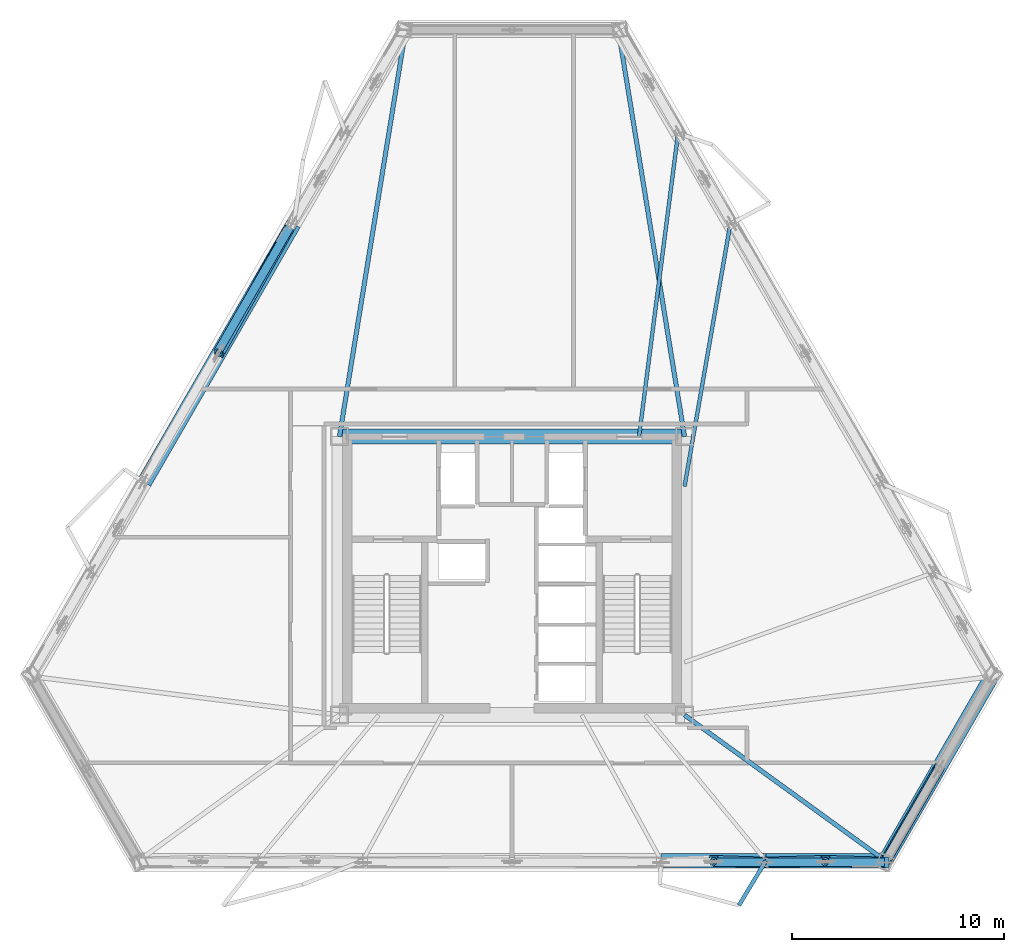
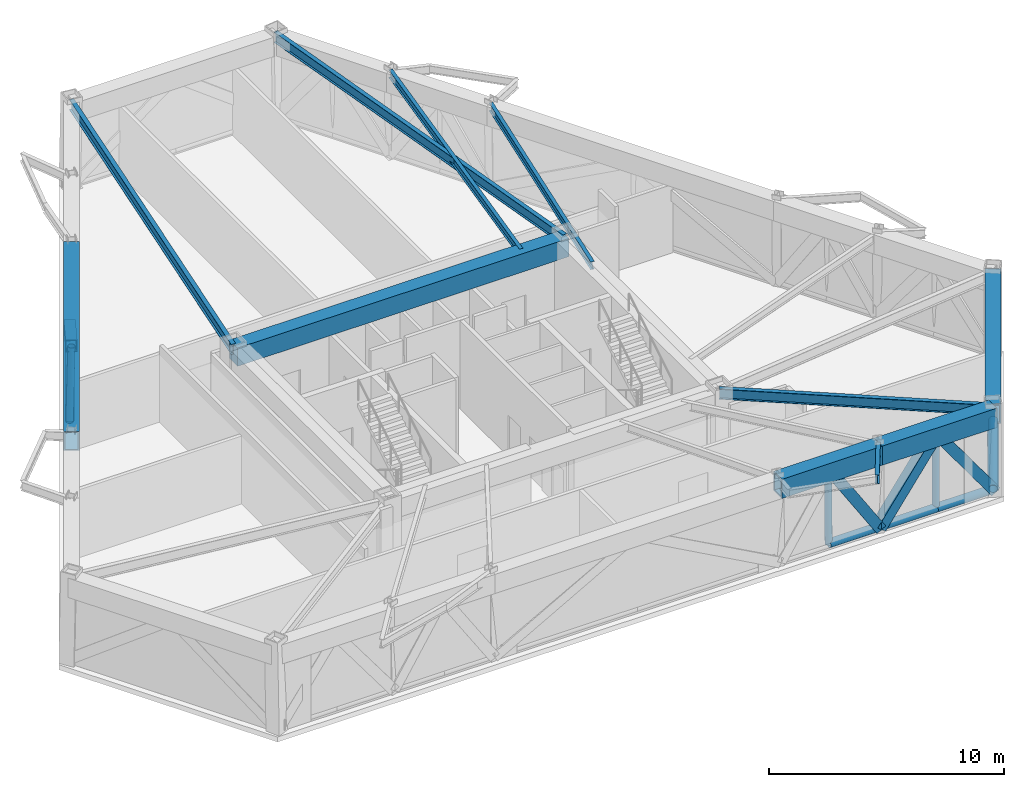
# One storey, part 3 of 11: 13 members, 11 beams.
"""IFC4 building model written with IfcOpenShell, lengths in metres."""

import ifcopenshell
import ifcopenshell.guid

model = None  # the IFC model being written
_history = None  # IfcOwnerHistory: only IFC2X3 demands one
_inside = {}  # id of a spatial element -> (the spatial element, [elements in it])
_under = {}  # id of a project, library or spatial element -> (it, [spatial elements below it])
_declared = {}  # id of a project -> (the project, [libraries it declares])
_typed = {}  # id of a type object -> (the type object, [elements of that type])
_made_of = {}  # id of a material, layer set ... -> (it, [elements and type objects made of it])


def new_model(schema):
    """Start an empty IFC model of exactly this schema.

    Asked for "IFC4X3", IfcOpenShell would pick the latest addendum, in which some entities
    have other attributes; the version numbers below select the first issue.
    IFC2X3 requires an IfcOwnerHistory on every rooted entity: one is made here for all.
    """
    global model, _history
    if schema == "IFC4X3":
        model = ifcopenshell.file(schema_version=(4, 3, 0, 0))
    else:
        model = ifcopenshell.file(schema=schema)
    _inside.clear()
    _under.clear()
    _declared.clear()
    _typed.clear()
    _made_of.clear()
    _history = None
    if model.schema == "IFC2X3":
        org = make("IfcOrganization", Name="unknown")
        user = make(
            "IfcPersonAndOrganization",
            ThePerson=make("IfcPerson", FamilyName="unknown"),
            TheOrganization=org,
        )
        app = make(
            "IfcApplication",
            ApplicationDeveloper=org,
            Version="unknown",
            ApplicationFullName="unknown",
            ApplicationIdentifier="unknown",
        )
        _history = make(
            "IfcOwnerHistory",
            OwningUser=user,
            OwningApplication=app,
            ChangeAction="ADDED",
            CreationDate=0,
        )
    return model


def make(cls, **values):
    """One entity of the class cls with the attributes given. An attribute that is None is left unset."""
    return model.create_entity(
        cls, **{name: value for name, value in values.items() if value is not None}
    )


def rooted(cls, **values):
    """An entity with a GlobalId (a new one), such as an element, a storey or a relation."""
    return make(cls, GlobalId=ifcopenshell.guid.new(), OwnerHistory=_history, **values)


def si_unit(unit_type, name, prefix=None):
    """IfcSIUnit, for example si_unit("LENGTHUNIT", "METRE", prefix="MILLI")."""
    return make("IfcSIUnit", UnitType=unit_type, Prefix=prefix, Name=name)


def assignment(units):
    """IfcUnitAssignment: the units of a project."""
    return None if units is None else make("IfcUnitAssignment", Units=units)


def point(xyz):
    """IfcCartesianPoint."""
    return None if xyz is None else make("IfcCartesianPoint", Coordinates=xyz)


def direction(xyz):
    """IfcDirection."""
    return None if xyz is None else make("IfcDirection", DirectionRatios=xyz)


def frame(location, z_axis=None, x_axis=None):
    """IfcAxis2Placement3D, a coordinate frame: its origin and axes. An axis left out is left unset."""
    return make(
        "IfcAxis2Placement3D",
        Location=point(location),
        Axis=direction(z_axis),
        RefDirection=direction(x_axis),
    )


def frame_2d(location, x_axis=None):
    """IfcAxis2Placement2D, a coordinate frame in the plane: its origin and x axis."""
    return make(
        "IfcAxis2Placement2D", Location=point(location), RefDirection=direction(x_axis)
    )


def origin():
    """The frame at (0, 0, 0) with its axes left unset."""
    return frame((0.0, 0.0, 0.0))


def origin_2d():
    """The frame at (0, 0) in the plane with its x axis left unset."""
    return frame_2d((0.0, 0.0))


def place(relative_to, where):
    """IfcLocalPlacement: puts the frame where relative to a parent placement (None: the world)."""
    return make(
        "IfcLocalPlacement", PlacementRelTo=relative_to, RelativePlacement=where
    )


def context(
    kind, dimensions, precision=None, world=None, true_north=None, identifier=None
):
    """IfcGeometricRepresentationContext, for example the 3D "Model" context."""
    return make(
        "IfcGeometricRepresentationContext",
        ContextIdentifier=identifier,
        ContextType=kind,
        CoordinateSpaceDimension=dimensions,
        Precision=precision,
        WorldCoordinateSystem=world,
        TrueNorth=true_north,
    )


def subcontext(parent, identifier, kind, view, scale=None):
    """IfcGeometricRepresentationSubContext, for example "Body" below "Model"."""
    return make(
        "IfcGeometricRepresentationSubContext",
        ContextIdentifier=identifier,
        ContextType=kind,
        ParentContext=parent,
        TargetScale=scale,
        TargetView=view,
    )


def project(units=None, contexts=None):
    """IfcProject with its units and contexts."""
    return rooted(
        "IfcProject",
        Name="project",
        RepresentationContexts=contexts,
        UnitsInContext=assignment(units),
    )


def spatial(cls, under=None, at=None, **own):
    """A site, building, storey or space (cls), placed at a placement, below another one or the project."""
    s = rooted(cls, ObjectPlacement=at, **own)
    if under is not None:
        _under.setdefault(under.id(), (under, []))[1].append(s)
    return s


def profile(cls, at=None, kind="AREA", **sizes):
    """A parametric profile (cls). Its sizes go by their IFC names, for example OverallWidth=200.0."""
    return make(cls, ProfileType=kind, Position=at, **sizes)


def rectangle(**sizes):
    """IfcRectangleProfileDef."""
    return profile("IfcRectangleProfileDef", **sizes)


def hollow_rectangle(**sizes):
    """IfcRectangleHollowProfileDef."""
    return profile("IfcRectangleHollowProfileDef", **sizes)


def hollow_circle(**sizes):
    """IfcCircleHollowProfileDef."""
    return profile("IfcCircleHollowProfileDef", **sizes)


def i_section(**sizes):
    """IfcIShapeProfileDef."""
    return profile("IfcIShapeProfileDef", **sizes)


def extrude(swept, where, along, depth):
    """IfcExtrudedAreaSolid: the profile swept, set in the frame where, extruded along a direction by depth."""
    return make(
        "IfcExtrudedAreaSolid",
        SweptArea=swept,
        Position=where,
        ExtrudedDirection=direction(along),
        Depth=depth,
    )


def shape(context_of_items, identifier, shape_type, items):
    """IfcShapeRepresentation: the items that make up one representation, for example the "Body"."""
    return make(
        "IfcShapeRepresentation",
        ContextOfItems=context_of_items,
        RepresentationIdentifier=identifier,
        RepresentationType=shape_type,
        Items=items,
    )


def material(Name=None, Category=None):
    """IfcMaterial."""
    return make("IfcMaterial", Name=Name, Category=Category)


def material_profile(
    of_material, cross_section, Name=None, Category=None, Priority=None
):
    """IfcMaterialProfile: a cross section and its material."""
    return make(
        "IfcMaterialProfile",
        Name=Name,
        Material=of_material,
        Profile=cross_section,
        Priority=Priority,
        Category=Category,
    )


def profile_set(profiles, Name=None, composite=None):
    """IfcMaterialProfileSet."""
    return make(
        "IfcMaterialProfileSet",
        Name=Name,
        MaterialProfiles=profiles,
        CompositeProfile=composite,
    )


def made_of(thing, what):
    """Note that an element or type object is made of a material, layer set ...; save() writes the relation."""
    if what is not None:
        _made_of.setdefault(what.id(), (what, []))[1].append(thing)
    return thing


def type_object(cls, material=None, **own):
    """A type object (cls), such as IfcWallType, which elements share."""
    return made_of(rooted(cls, **own), material)


def element(
    cls,
    number,
    at=None,
    inside=None,
    cuts=None,
    type_object=None,
    material=None,
    context=None,
    identifier="Body",
    shape_type=None,
    held_by="IfcProductDefinitionShape",
    body=None,
    shapes=None,
    **own,
):
    """One element of the class cls, such as IfcWall. Its Tag is "e" and its number.

    at: its placement. inside: the storey or other place that contains it. cuts: it is an
    opening in that element (IfcRelVoidsElement). A single representation is given by context,
    identifier, shape_type and body (its items); several are given by shapes. held_by: the class
    of the entity that holds the representations. save() writes the other relations.
    """
    e = rooted(cls, Tag="e%d" % number, ObjectPlacement=at, **own)
    if body is not None:
        shapes = [shape(context, identifier, shape_type, body)]
    if shapes is not None:
        e.Representation = make(held_by, Representations=shapes)
    if inside is not None:
        _inside.setdefault(inside.id(), (inside, []))[1].append(e)
    if cuts is not None:
        rooted(
            "IfcRelVoidsElement", RelatingBuildingElement=cuts, RelatedOpeningElement=e
        )
    if type_object is not None:
        _typed.setdefault(type_object.id(), (type_object, []))[1].append(e)
    return made_of(e, material)


def aggregate(whole, parts):
    """IfcRelAggregates: a whole, such as a stair, and the parts it consists of."""
    return rooted("IfcRelAggregates", RelatingObject=whole, RelatedObjects=parts)


def save(model, path):
    """Write the relations noted so far, then the file.

    IfcRelAggregates (storeys below a building ...), IfcRelContainedInSpatialStructure (elements
    in a storey), IfcRelDefinesByType, IfcRelAssociatesMaterial and IfcRelDeclares: one each for
    every whole, place, type object, material and project.
    """
    for whole, parts in _under.values():
        aggregate(whole, parts)
    for where, things in _inside.values():
        rooted(
            "IfcRelContainedInSpatialStructure",
            RelatedElements=things,
            RelatingStructure=where,
        )
    for kind, things in _typed.values():
        rooted("IfcRelDefinesByType", RelatedObjects=things, RelatingType=kind)
    for what, things in _made_of.values():
        rooted("IfcRelAssociatesMaterial", RelatedObjects=things, RelatingMaterial=what)
    for by, libraries in _declared.values():
        rooted("IfcRelDeclares", RelatingContext=by, RelatedDefinitions=libraries)
    model.write(path)


model = new_model("IFC4")

# Units and contexts
model_context = context("Model", 3, precision=1e-05, world=origin(), true_north=direction((0.0, 1.0)))
body_context = subcontext(model_context, "Body", "Model", "MODEL_VIEW")
ifc_project = project(units=[si_unit("LENGTHUNIT", "METRE"), si_unit("AREAUNIT", "SQUARE_METRE"), si_unit("VOLUMEUNIT", "CUBIC_METRE"), si_unit("PLANEANGLEUNIT", "RADIAN"), si_unit("MASSUNIT", "GRAM", prefix="KILO")], contexts=[model_context])

# Site, building, storey
site_placement = place(None, origin())
site = spatial("IfcSite", under=ifc_project, at=site_placement, CompositionType="ELEMENT")
building_placement = place(site_placement, origin())
building = spatial("IfcBuilding", under=site, at=building_placement, Name="Oramaril Tower", CompositionType="ELEMENT")
storey_placement = place(building_placement, frame((0.0, 0.0, 133.800048828125)))
storey = spatial("IfcBuildingStorey", under=building, at=storey_placement, Name="L35", CompositionType="ELEMENT", Elevation=133.800048828125)

# Beams
ifc_material_1 = material(Name="Steel ASTM A572 Gr 50", Category="steel")
ifc_material_profile_1 = material_profile(ifc_material_1, i_section(OverallWidth=0.19091796875, OverallDepth=0.45703125, WebThickness=0.009033203125, FlangeThickness=0.014404296875, at=origin_2d()), Name="W18X50")
ifc_profile_set_1 = profile_set([ifc_material_profile_1], Name="Steel ASTM A572 Gr 50")
beam_type_1 = type_object("IfcBeamType", Name="BT-BB1", PredefinedType="BEAM", material=ifc_profile_set_1)
beam_1_placement = place(storey_placement, frame((49.48974609375, 4.120849609375, 4.33154296875), z_axis=(-0.516026664464, -0.856572519733, 0.0), x_axis=(0.856572519733, -0.516026664464, 0.0)))
element("IfcBeam", 1, at=beam_1_placement, inside=storey, type_object=beam_type_1, Name="L35 Balcony Column-Framed Cantilever 02.2", PredefinedType="BEAM", context=body_context, shape_type="SweptSolid", body=[
    extrude(i_section(OverallWidth=0.19091796875, OverallDepth=0.45703125, WebThickness=0.009033203125, FlangeThickness=0.014404296875, at=origin_2d()), origin(), (0.0, 0.0, 1.0), 2.461181640625),
])
ifc_material_2 = material(Name="Steel ASTM A572 Gr 50", Category="steel")
ifc_material_profile_2 = material_profile(ifc_material_2, hollow_rectangle(XDim=0.699951171875, YDim=1.0, WallThickness=0.06494140625, at=origin_2d()), Name="BOX1000X700X65")
ifc_profile_set_2 = profile_set([ifc_material_profile_2], Name="Steel ASTM A572 Gr 50")
beam_type_2 = type_object("IfcBeamType", Name="BT-BT1", PredefinedType="BEAM", material=ifc_profile_set_2)
beam_2_placement = place(storey_placement, frame((44.552734375, 4.120849609375, 4.06005859375), z_axis=(1.0, 0.0, 0.0), x_axis=(0.0, 1.0, 0.0)))
element("IfcBeam", 2, at=beam_2_placement, inside=storey, type_object=beam_type_2, Name="L35 Perimeter Spandrel 05", PredefinedType="BEAM", context=body_context, shape_type="SweptSolid", body=[
    extrude(hollow_rectangle(XDim=0.699951171875, YDim=1.0, WallThickness=0.06494140625, at=origin_2d()), origin(), (0.0, 0.0, 1.0), 4.93701171875),
])
beam_3_placement = place(storey_placement, frame((49.48974609375, 4.120849609375, 4.06005859375), z_axis=(1.0, 0.0, 0.0), x_axis=(0.0, 1.0, 0.0)))
element("IfcBeam", 3, at=beam_3_placement, inside=storey, type_object=beam_type_2, Name="L35 Perimeter Spandrel 06", PredefinedType="BEAM", context=body_context, shape_type="SweptSolid", body=[
    extrude(hollow_rectangle(XDim=0.699951171875, YDim=1.0, WallThickness=0.06494140625, at=origin_2d()), origin(), (0.0, 0.0, 1.0), 5.642333984375),
])
beam_4_placement = place(storey_placement, frame((55.132080078125, 4.120849609375, 4.06005859375), z_axis=(0.500007885066, 0.866020851292, 0.0), x_axis=(-0.866020851292, 0.500007885066, 0.0)))
element("IfcBeam", 4, at=beam_4_placement, inside=storey, type_object=beam_type_2, Name="L35 Perimeter Spandrel 07", PredefinedType="BEAM", context=body_context, shape_type="SweptSolid", body=[
    extrude(hollow_rectangle(XDim=0.699951171875, YDim=1.0, WallThickness=0.06494140625, at=origin_2d()), origin(), (0.0, 0.0, 1.0), 10.044677734375),
])
beam_5_placement = place(storey_placement, frame((27.18798828125, 34.197509765625, 4.06005859375), z_axis=(-0.500009111705, -0.866020143075, 0.0), x_axis=(0.866020143075, -0.500009111705, 0.0)))
element("IfcBeam", 5, at=beam_5_placement, inside=storey, type_object=beam_type_2, Name="L35 Perimeter Spandrel 16", PredefinedType="BEAM", context=body_context, shape_type="SweptSolid", body=[
    extrude(hollow_rectangle(XDim=0.699951171875, YDim=1.0, WallThickness=0.06494140625, at=origin_2d()), origin(), (0.0, 0.0, 1.0), 14.105712890625),
])
ifc_material_3 = material(Name="Concrete C50/60", Category="concrete")
ifc_material_profile_3 = material_profile(ifc_material_3, rectangle(XDim=0.699951171875, YDim=0.949951171875, at=origin_2d()), Name="CB700X950")
ifc_profile_set_3 = profile_set([ifc_material_profile_3], Name="Concrete C50/60")
beam_type_3 = type_object("IfcBeamType", Name="BT-CB1", PredefinedType="BEAM", material=ifc_profile_set_3)
beam_6_placement = place(storey_placement, frame((45.64990234375, 24.14990234375, 4.0849609375), z_axis=(-1.0, 0.0, 0.0), x_axis=(0.0, -1.0, 0.0)))
element("IfcBeam", 6, at=beam_6_placement, inside=storey, type_object=beam_type_3, Name="L35 Core Header Beam CB-3", PredefinedType="BEAM", context=body_context, shape_type="SweptSolid", body=[
    extrude(rectangle(XDim=0.699951171875, YDim=0.949951171875, at=origin_2d()), origin(), (0.0, 0.0, 1.0), 16.2998046875),
])
ifc_material_4 = material(Name="Steel ASTM A572 Gr 50", Category="steel")
ifc_material_profile_4 = material_profile(ifc_material_4, i_section(OverallWidth=0.2099609375, OverallDepth=0.535888671875, WebThickness=0.010986328125, FlangeThickness=0.017333984375, at=origin_2d()), Name="W21X68")
ifc_profile_set_4 = profile_set([ifc_material_profile_4], Name="Steel ASTM A572 Gr 50")
beam_type_4 = type_object("IfcBeamType", Name="BT-FB2", PredefinedType="BEAM", material=ifc_profile_set_4)
beam_7_placement = place(storey_placement, frame((45.64990234375, 11.0, 4.2919921875), z_axis=(0.809424955656, -0.587223331588, 0.0), x_axis=(0.587223331588, 0.809424955656, 0.0)))
element("IfcBeam", 7, at=beam_7_placement, inside=storey, type_object=beam_type_4, Name="L35 Radial Primary Beam RB-03", PredefinedType="BEAM", context=body_context, shape_type="SweptSolid", body=[
    extrude(i_section(OverallWidth=0.2099609375, OverallDepth=0.535888671875, WebThickness=0.010986328125, FlangeThickness=0.017333984375, at=origin_2d()), origin(), (0.0, 0.0, 1.0), 11.714599609375),
])
for number, where, z_axis, x_axis, name in (
    (8, (45.64990234375, 24.14990234375, 4.2919921875), (-0.160689527437, 0.987005002911, 0.0), (-0.987005002911, -0.160689527437, 0.0), "L35 Radial Primary Beam RB-05"),
    (9, (29.35009765625, 24.14990234375, 4.2919921875), (0.160689527437, 0.987005002911, 0.0), (-0.987005002911, 0.160689527437, 0.0), "L35 Radial Primary Beam RB-06"),
):
    element("IfcBeam", number, at=place(storey_placement, frame(where, z_axis=z_axis, x_axis=x_axis)), inside=storey, type_object=beam_type_4, Name=name, PredefinedType="BEAM", context=body_context, shape_type="SweptSolid", body=[
        extrude(i_section(OverallWidth=0.2099609375, OverallDepth=0.535888671875, WebThickness=0.010986328125, FlangeThickness=0.017333984375, at=origin_2d()), origin(), (0.0, 0.0, 1.0), 19.462646484375),
    ])
ifc_material_5 = material(Name="Steel ASTM A572 Gr 50", Category="steel")
ifc_material_profile_5 = material_profile(ifc_material_5, i_section(OverallWidth=0.177978515625, OverallDepth=0.404052734375, WebThickness=0.007568359375, FlangeThickness=0.010986328125, at=origin_2d()), Name="W16X36")
ifc_profile_set_5 = profile_set([ifc_material_profile_5], Name="Steel ASTM A572 Gr 50")
beam_type_5 = type_object("IfcBeamType", Name="BT-SB1", PredefinedType="BEAM", material=ifc_profile_set_5)
beam_8_placement = place(storey_placement, frame((45.64990234375, 21.800048828125, 4.35791015625), z_axis=(0.171806185543, 0.985130770309, 0.0), x_axis=(-0.985130770309, 0.171806185543, 0.0)))
element("IfcBeam", 10, at=beam_8_placement, inside=storey, type_object=beam_type_5, Name="L35 Secondary Floor Beam SB-06", PredefinedType="BEAM", context=body_context, shape_type="SweptSolid", body=[
    extrude(i_section(OverallWidth=0.177978515625, OverallDepth=0.404052734375, WebThickness=0.007568359375, FlangeThickness=0.010986328125, at=origin_2d()), origin(), (0.0, 0.0, 1.0), 12.58447265625),
])
beam_9_placement = place(storey_placement, frame((43.5, 24.14990234375, 4.35791015625), z_axis=(0.127654311846, 0.991818721676, 0.0), x_axis=(-0.991818721676, 0.127654311846, 0.0)))
element("IfcBeam", 11, at=beam_9_placement, inside=storey, type_object=beam_type_5, Name="L35 Secondary Floor Beam SB-07", PredefinedType="BEAM", context=body_context, shape_type="SweptSolid", body=[
    extrude(i_section(OverallWidth=0.177978515625, OverallDepth=0.404052734375, WebThickness=0.007568359375, FlangeThickness=0.010986328125, at=origin_2d()), origin(), (0.0, 0.0, 1.0), 14.44140625),
])

# Members
ifc_material_6 = material(Name="Steel ASTM A572 Gr 50", Category="steel")
ifc_material_profile_6 = material_profile(ifc_material_6, hollow_circle(Radius=0.202880859375, WallThickness=0.01611328125, at=origin_2d()), Name="CHS406X16")
ifc_profile_set_6 = profile_set([ifc_material_profile_6], Name="Steel ASTM A572 Gr 50")
member_type_1 = type_object("IfcMemberType", Name="MT-CH1", PredefinedType="CHORD", material=ifc_profile_set_6)
member_1_placement = place(storey_placement, frame((47.002197265625, 4.040771484375, 0.2099609375), z_axis=(1.0, 0.0, 0.0), x_axis=(0.0, 1.0, 0.0)))
element("IfcMember", 12, at=member_1_placement, inside=storey, type_object=member_type_1, Name="L35 Belt Truss Chord 05B", PredefinedType="CHORD", context=body_context, shape_type="SweptSolid", body=[
    extrude(hollow_circle(Radius=0.202880859375, WallThickness=0.01611328125, at=origin_2d()), origin(), (0.0, 0.0, 1.0), 2.463623046875),
])
for number, where, z_axis, x_axis, name in (
    (13, (49.4658203125, 4.040771484375, 0.2099609375), (1.0, 0.0, 0.0), (0.0, 1.0, 0.0), "L35 Belt Truss Chord 06A"),
    (14, (52.28125, 4.040771484375, 0.2099609375), (1.0, 0.0, 0.0), (0.0, 1.0, 0.0), "L35 Belt Truss Chord 06B"),
):
    element("IfcMember", number, at=place(storey_placement, frame(where, z_axis=z_axis, x_axis=x_axis)), inside=storey, type_object=member_type_1, Name=name, PredefinedType="CHORD", context=body_context, shape_type="SweptSolid", body=[
        extrude(hollow_circle(Radius=0.202880859375, WallThickness=0.01611328125, at=origin_2d()), origin(), (0.0, 0.0, 1.0), 2.8154296875),
    ])
member_2_placement = place(storey_placement, frame((55.0966796875, 4.040771484375, 0.2099609375), z_axis=(0.500003717096, 0.866023257707, 0.0), x_axis=(-0.866023257707, 0.500003717096, 0.0)))
element("IfcMember", 15, at=member_2_placement, inside=storey, type_object=member_type_1, Name="L35 Belt Truss Chord 07A", PredefinedType="CHORD", context=body_context, shape_type="SweptSolid", body=[
    extrude(hollow_circle(Radius=0.202880859375, WallThickness=0.01611328125, at=origin_2d()), origin(), (0.0, 0.0, 1.0), 5.109375),
])
member_3_placement = place(storey_placement, frame((27.111572265625, 34.225341796875, 0.2099609375), z_axis=(-0.499992676439, -0.866029632003, 0.0), x_axis=(0.866029632003, -0.499992676439, 0.0)))
element("IfcMember", 16, at=member_3_placement, inside=storey, type_object=member_type_1, Name="L35 Belt Truss Chord 16A", PredefinedType="CHORD", context=body_context, shape_type="SweptSolid", body=[
    extrude(hollow_circle(Radius=0.202880859375, WallThickness=0.01611328125, at=origin_2d()), origin(), (0.0, 0.0, 1.0), 7.03857421875),
])
ifc_material_7 = material(Name="Steel ASTM A572 Gr 50", Category="steel")
ifc_material_profile_7 = material_profile(ifc_material_7, hollow_circle(Radius=0.162109375, WallThickness=0.011962890625, at=origin_2d()), Name="CHS324X12")
ifc_profile_set_7 = profile_set([ifc_material_profile_7], Name="Steel ASTM A572 Gr 50")
member_type_2 = type_object("IfcMemberType", Name="MT-ST1", PredefinedType="STRUT", material=ifc_profile_set_7)
for number, where, z_axis, x_axis, name in (
    (17, (47.002197265625, 4.040771484375, 0.2099609375), (0.004944970241, 0.020794233834, 0.999771547459), (-0.972869827451, 0.231353190674, 0.0), "L35 Belt Truss Strut 05"),
    (18, (52.28125, 4.040771484375, 0.2099609375), (0.007734303858, 0.02079386611, 0.999753867547), (-0.937265283461, 0.34861696519, 0.0), "L35 Belt Truss Strut 06"),
):
    element("IfcMember", number, at=place(storey_placement, frame(where, z_axis=z_axis, x_axis=x_axis)), inside=storey, type_object=member_type_2, Name=name, PredefinedType="STRUT", context=body_context, shape_type="SweptSolid", body=[
        extrude(hollow_circle(Radius=0.162109375, WallThickness=0.011962890625, at=origin_2d()), origin(), (0.0, 0.0, 1.0), 3.85107421875),
    ])
member_4_placement = place(storey_placement, frame((23.59228515625, 28.129638671875, 0.2099609375), z_axis=(0.018004984737, -0.010397244707, 0.99978383555), x_axis=(0.500074377092, 0.865982457891, 0.0)))
element("IfcMember", 19, at=member_4_placement, inside=storey, type_object=member_type_2, Name="L35 Belt Truss Strut 16", PredefinedType="STRUT", context=body_context, shape_type="SweptSolid", body=[
    extrude(hollow_circle(Radius=0.162109375, WallThickness=0.011962890625, at=origin_2d()), origin(), (0.0, 0.0, 1.0), 3.850830078125),
])
ifc_material_8 = material(Name="Steel ASTM A572 Gr 50", Category="steel")
ifc_material_profile_8 = material_profile(ifc_material_8, hollow_rectangle(XDim=0.5, YDim=0.5, WallThickness=0.02490234375, at=origin_2d()), Name="HSS500X500X25")
ifc_profile_set_8 = profile_set([ifc_material_profile_8], Name="Steel ASTM A572 Gr 50")
member_type_3 = type_object("IfcMemberType", Name="MT-TD1", PredefinedType="BRACE", material=ifc_profile_set_8)
member_5_placement = place(storey_placement, frame((49.4658203125, 4.040771484375, 0.2099609375), z_axis=(-0.53593703317, 0.017555912002, 0.844075403285), x_axis=(-0.032739854348, -0.999463907271, 0.0)))
element("IfcMember", 20, at=member_5_placement, inside=storey, type_object=member_type_3, Name="L35 Truss Diagonal 05B", PredefinedType="BRACE", context=body_context, shape_type="SweptSolid", body=[
    extrude(hollow_rectangle(XDim=0.5, YDim=0.5, WallThickness=0.02490234375, at=origin_2d()), origin(), (0.0, 0.0, 1.0), 4.561279296875),
])
member_6_placement = place(storey_placement, frame((49.4658203125, 4.040771484375, 0.2099609375), z_axis=(0.594239104221, 0.016724766276, 0.804114524933), x_axis=(-0.028133702373, 0.999604169054, 0.0)))
element("IfcMember", 21, at=member_6_placement, inside=storey, type_object=member_type_3, Name="L35 Truss Diagonal 06A", PredefinedType="BRACE", context=body_context, shape_type="SweptSolid", body=[
    extrude(hollow_rectangle(XDim=0.5, YDim=0.5, WallThickness=0.02490234375, at=origin_2d()), origin(), (0.0, 0.0, 1.0), 4.7880859375),
])
member_7_placement = place(storey_placement, frame((55.0966796875, 4.040771484375, 0.2099609375), z_axis=(-0.586101159158, 0.016848482051, 0.810062688862), x_axis=(-0.028734843004, -0.999587069143, 0.0)))
element("IfcMember", 22, at=member_7_placement, inside=storey, type_object=member_type_3, Name="L35 Truss Diagonal 06B", PredefinedType="BRACE", context=body_context, shape_type="SweptSolid", body=[
    extrude(hollow_rectangle(XDim=0.5, YDim=0.5, WallThickness=0.02490234375, at=origin_2d()), origin(), (0.0, 0.0, 1.0), 4.7529296875),
])
member_8_placement = place(storey_placement, frame((55.0966796875, 4.040771484375, 0.2099609375), z_axis=(0.398063926329, 0.692366390124, 0.601808850369), x_axis=(-0.866931596318, 0.498427133396, 0.0)))
element("IfcMember", 23, at=member_8_placement, inside=storey, type_object=member_type_3, Name="L35 Truss Diagonal 07A", PredefinedType="BRACE", context=body_context, shape_type="SweptSolid", body=[
    extrude(hollow_rectangle(XDim=0.5, YDim=0.5, WallThickness=0.02490234375, at=origin_2d()), origin(), (0.0, 0.0, 1.0), 6.3974609375),
])
member_9_placement = place(storey_placement, frame((27.111572265625, 34.225341796875, 0.2099609375), z_axis=(-0.429993535479, -0.76474400493, 0.479866821492), x_axis=(0.871660739904, -0.490109737211, 0.0)))
element("IfcMember", 24, at=member_9_placement, inside=storey, type_object=member_type_3, Name="L35 Truss Diagonal 16A", PredefinedType="BRACE", context=body_context, shape_type="SweptSolid", body=[
    extrude(hollow_rectangle(XDim=0.5, YDim=0.5, WallThickness=0.02490234375, at=origin_2d()), origin(), (0.0, 0.0, 1.0), 8.023193359375),
])

save(model, "model.ifc")
